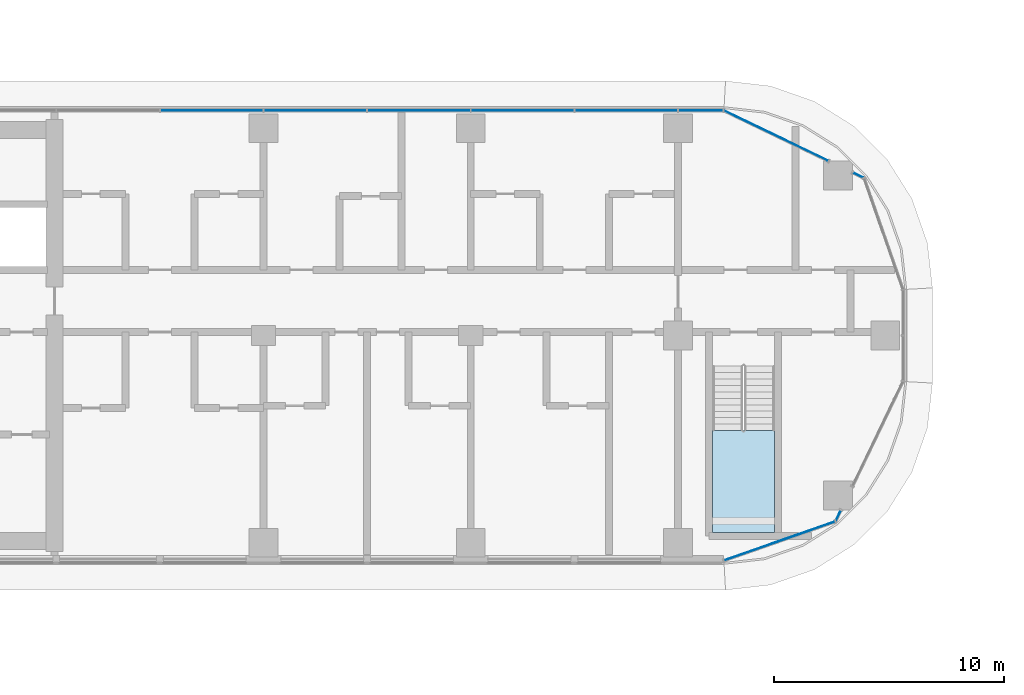
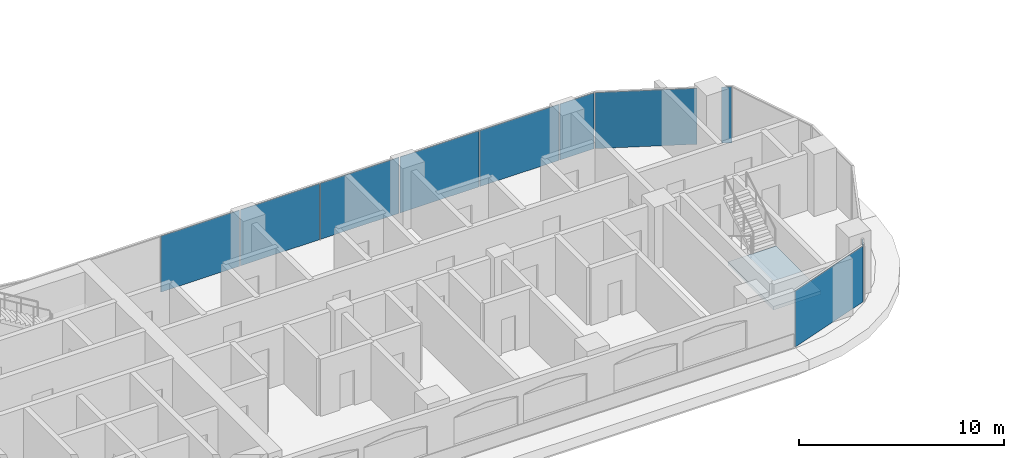
# One storey, part 16 of 40: 10 plates, 1 slab, 5 elements without a shape of their own.
"""IFC4 building model written with IfcOpenShell, lengths in metres."""

import ifcopenshell
import ifcopenshell.guid

model = None  # the IFC model being written
_history = None  # IfcOwnerHistory: only IFC2X3 demands one
_inside = {}  # id of a spatial element -> (the spatial element, [elements in it])
_under = {}  # id of a project, library or spatial element -> (it, [spatial elements below it])
_declared = {}  # id of a project -> (the project, [libraries it declares])
_typed = {}  # id of a type object -> (the type object, [elements of that type])
_made_of = {}  # id of a material, layer set ... -> (it, [elements and type objects made of it])


def new_model(schema):
    """Start an empty IFC model of exactly this schema.

    Asked for "IFC4X3", IfcOpenShell would pick the latest addendum, in which some entities
    have other attributes; the version numbers below select the first issue.
    IFC2X3 requires an IfcOwnerHistory on every rooted entity: one is made here for all.
    """
    global model, _history
    if schema == "IFC4X3":
        model = ifcopenshell.file(schema_version=(4, 3, 0, 0))
    else:
        model = ifcopenshell.file(schema=schema)
    _inside.clear()
    _under.clear()
    _declared.clear()
    _typed.clear()
    _made_of.clear()
    _history = None
    if model.schema == "IFC2X3":
        org = make("IfcOrganization", Name="unknown")
        user = make(
            "IfcPersonAndOrganization",
            ThePerson=make("IfcPerson", FamilyName="unknown"),
            TheOrganization=org,
        )
        app = make(
            "IfcApplication",
            ApplicationDeveloper=org,
            Version="unknown",
            ApplicationFullName="unknown",
            ApplicationIdentifier="unknown",
        )
        _history = make(
            "IfcOwnerHistory",
            OwningUser=user,
            OwningApplication=app,
            ChangeAction="ADDED",
            CreationDate=0,
        )
    return model


def make(cls, **values):
    """One entity of the class cls with the attributes given. An attribute that is None is left unset."""
    return model.create_entity(
        cls, **{name: value for name, value in values.items() if value is not None}
    )


def rooted(cls, **values):
    """An entity with a GlobalId (a new one), such as an element, a storey or a relation."""
    return make(cls, GlobalId=ifcopenshell.guid.new(), OwnerHistory=_history, **values)


def si_unit(unit_type, name, prefix=None):
    """IfcSIUnit, for example si_unit("LENGTHUNIT", "METRE", prefix="MILLI")."""
    return make("IfcSIUnit", UnitType=unit_type, Prefix=prefix, Name=name)


def assignment(units):
    """IfcUnitAssignment: the units of a project."""
    return None if units is None else make("IfcUnitAssignment", Units=units)


def point(xyz):
    """IfcCartesianPoint."""
    return None if xyz is None else make("IfcCartesianPoint", Coordinates=xyz)


def direction(xyz):
    """IfcDirection."""
    return None if xyz is None else make("IfcDirection", DirectionRatios=xyz)


def frame(location, z_axis=None, x_axis=None):
    """IfcAxis2Placement3D, a coordinate frame: its origin and axes. An axis left out is left unset."""
    return make(
        "IfcAxis2Placement3D",
        Location=point(location),
        Axis=direction(z_axis),
        RefDirection=direction(x_axis),
    )


def frame_2d(location, x_axis=None):
    """IfcAxis2Placement2D, a coordinate frame in the plane: its origin and x axis."""
    return make(
        "IfcAxis2Placement2D", Location=point(location), RefDirection=direction(x_axis)
    )


def origin():
    """The frame at (0, 0, 0) with its axes left unset."""
    return frame((0.0, 0.0, 0.0))


def origin_2d():
    """The frame at (0, 0) in the plane with its x axis left unset."""
    return frame_2d((0.0, 0.0))


def place(relative_to, where):
    """IfcLocalPlacement: puts the frame where relative to a parent placement (None: the world)."""
    return make(
        "IfcLocalPlacement", PlacementRelTo=relative_to, RelativePlacement=where
    )


def context(
    kind, dimensions, precision=None, world=None, true_north=None, identifier=None
):
    """IfcGeometricRepresentationContext, for example the 3D "Model" context."""
    return make(
        "IfcGeometricRepresentationContext",
        ContextIdentifier=identifier,
        ContextType=kind,
        CoordinateSpaceDimension=dimensions,
        Precision=precision,
        WorldCoordinateSystem=world,
        TrueNorth=true_north,
    )


def subcontext(parent, identifier, kind, view, scale=None):
    """IfcGeometricRepresentationSubContext, for example "Body" below "Model"."""
    return make(
        "IfcGeometricRepresentationSubContext",
        ContextIdentifier=identifier,
        ContextType=kind,
        ParentContext=parent,
        TargetScale=scale,
        TargetView=view,
    )


def project(units=None, contexts=None):
    """IfcProject with its units and contexts."""
    return rooted(
        "IfcProject",
        Name="project",
        RepresentationContexts=contexts,
        UnitsInContext=assignment(units),
    )


def spatial(cls, under=None, at=None, **own):
    """A site, building, storey or space (cls), placed at a placement, below another one or the project."""
    s = rooted(cls, ObjectPlacement=at, **own)
    if under is not None:
        _under.setdefault(under.id(), (under, []))[1].append(s)
    return s


def polyline(points):
    """IfcPolyline through the points."""
    return make("IfcPolyline", Points=[point(p) for p in points])


def profile(cls, at=None, kind="AREA", **sizes):
    """A parametric profile (cls). Its sizes go by their IFC names, for example OverallWidth=200.0."""
    return make(cls, ProfileType=kind, Position=at, **sizes)


def rectangle(**sizes):
    """IfcRectangleProfileDef."""
    return profile("IfcRectangleProfileDef", **sizes)


def outline(outer, holes=None, kind="AREA"):
    """IfcArbitraryClosedProfileDef: a profile drawn as a closed curve; with holes, ...WithVoids."""
    if holes is None:
        return make("IfcArbitraryClosedProfileDef", ProfileType=kind, OuterCurve=outer)
    return make(
        "IfcArbitraryProfileDefWithVoids",
        ProfileType=kind,
        OuterCurve=outer,
        InnerCurves=holes,
    )


def extrude(swept, where, along, depth):
    """IfcExtrudedAreaSolid: the profile swept, set in the frame where, extruded along a direction by depth."""
    return make(
        "IfcExtrudedAreaSolid",
        SweptArea=swept,
        Position=where,
        ExtrudedDirection=direction(along),
        Depth=depth,
    )


def shape(context_of_items, identifier, shape_type, items):
    """IfcShapeRepresentation: the items that make up one representation, for example the "Body"."""
    return make(
        "IfcShapeRepresentation",
        ContextOfItems=context_of_items,
        RepresentationIdentifier=identifier,
        RepresentationType=shape_type,
        Items=items,
    )


def material(Name=None, Category=None):
    """IfcMaterial."""
    return make("IfcMaterial", Name=Name, Category=Category)


def layer(
    of_material, thickness, ventilated=None, Name=None, Category=None, Priority=None
):
    """IfcMaterialLayer: one layer of a wall or slab, of a material (None: an air gap)."""
    return make(
        "IfcMaterialLayer",
        Material=of_material,
        LayerThickness=thickness,
        IsVentilated=ventilated,
        Name=Name,
        Category=Category,
        Priority=Priority,
    )


def layer_set(layers, Name=None):
    """IfcMaterialLayerSet."""
    return make("IfcMaterialLayerSet", MaterialLayers=layers, LayerSetName=Name)


def made_of(thing, what):
    """Note that an element or type object is made of a material, layer set ...; save() writes the relation."""
    if what is not None:
        _made_of.setdefault(what.id(), (what, []))[1].append(thing)
    return thing


def type_object(cls, material=None, **own):
    """A type object (cls), such as IfcWallType, which elements share."""
    return made_of(rooted(cls, **own), material)


def element(
    cls,
    number,
    at=None,
    inside=None,
    cuts=None,
    type_object=None,
    material=None,
    context=None,
    identifier="Body",
    shape_type=None,
    held_by="IfcProductDefinitionShape",
    body=None,
    shapes=None,
    **own,
):
    """One element of the class cls, such as IfcWall. Its Tag is "e" and its number.

    at: its placement. inside: the storey or other place that contains it. cuts: it is an
    opening in that element (IfcRelVoidsElement). A single representation is given by context,
    identifier, shape_type and body (its items); several are given by shapes. held_by: the class
    of the entity that holds the representations. save() writes the other relations.
    """
    e = rooted(cls, Tag="e%d" % number, ObjectPlacement=at, **own)
    if body is not None:
        shapes = [shape(context, identifier, shape_type, body)]
    if shapes is not None:
        e.Representation = make(held_by, Representations=shapes)
    if inside is not None:
        _inside.setdefault(inside.id(), (inside, []))[1].append(e)
    if cuts is not None:
        rooted(
            "IfcRelVoidsElement", RelatingBuildingElement=cuts, RelatedOpeningElement=e
        )
    if type_object is not None:
        _typed.setdefault(type_object.id(), (type_object, []))[1].append(e)
    return made_of(e, material)


def aggregate(whole, parts):
    """IfcRelAggregates: a whole, such as a stair, and the parts it consists of."""
    return rooted("IfcRelAggregates", RelatingObject=whole, RelatedObjects=parts)


def save(model, path):
    """Write the relations noted so far, then the file.

    IfcRelAggregates (storeys below a building ...), IfcRelContainedInSpatialStructure (elements
    in a storey), IfcRelDefinesByType, IfcRelAssociatesMaterial and IfcRelDeclares: one each for
    every whole, place, type object, material and project.
    """
    for whole, parts in _under.values():
        aggregate(whole, parts)
    for where, things in _inside.values():
        rooted(
            "IfcRelContainedInSpatialStructure",
            RelatedElements=things,
            RelatingStructure=where,
        )
    for kind, things in _typed.values():
        rooted("IfcRelDefinesByType", RelatedObjects=things, RelatingType=kind)
    for what, things in _made_of.values():
        rooted("IfcRelAssociatesMaterial", RelatedObjects=things, RelatingMaterial=what)
    for by, libraries in _declared.values():
        rooted("IfcRelDeclares", RelatingContext=by, RelatedDefinitions=libraries)
    model.write(path)


model = new_model("IFC4")

# Units and contexts
model_context = context("Model", 3, precision=1e-05, world=origin(), true_north=direction((0.0, 1.0)))
body_context = subcontext(model_context, "Body", "Model", "MODEL_VIEW")
ifc_project = project(units=[si_unit("LENGTHUNIT", "METRE"), si_unit("AREAUNIT", "SQUARE_METRE"), si_unit("VOLUMEUNIT", "CUBIC_METRE"), si_unit("PLANEANGLEUNIT", "RADIAN"), si_unit("MASSUNIT", "GRAM", prefix="KILO")], contexts=[model_context])

# Site, building, storey
site_placement = place(None, origin())
site = spatial("IfcSite", under=ifc_project, at=site_placement, CompositionType="ELEMENT")
building_placement = place(site_placement, origin())
building = spatial("IfcBuilding", under=site, at=building_placement, Name="Ogive Portal Towers", CompositionType="ELEMENT")
storey_placement = place(building_placement, frame((0.0, 0.0, 87.10009765625)))
storey = spatial("IfcBuildingStorey", under=building, at=storey_placement, Name="L20", CompositionType="ELEMENT", Elevation=87.10009765625)

# Curtain wall, plates
ifc_material_1 = material(Name="Glass, clear low-iron insulated glazing", Category="glass")
curtain_wall_type = type_object("IfcCurtainWallType", Name="CW FRONT RIBBON 4500", PredefinedType="NOTDEFINED", material=ifc_material_1)
curtain_wall_1_placement = place(storey_placement, origin())
curtain_wall_1 = element("IfcCurtainWall", 1, at=curtain_wall_1_placement, inside=storey, type_object=curtain_wall_type, Name="A:L20:f11:cw0", PredefinedType="NOTDEFINED")
ifc_layer_1 = layer(ifc_material_1, 0.028076171875)
ifc_layer_set_1 = layer_set([ifc_layer_1], Name="CW PANEL IGU 28")
plate_type = type_object("IfcPlateType", Name="CW PANEL IGU 28", PredefinedType="CURTAIN_PANEL", material=ifc_layer_set_1)
plate_1_placement = place(storey_placement, frame((86.490966796875, 40.27490234375, 0.0), z_axis=(0.0, 0.0, 1.0), x_axis=(-1.0, 0.0, 0.0)))
plate_1 = element("IfcPlate", 2, at=plate_1_placement, type_object=plate_type, Name="panel", PredefinedType="CURTAIN_PANEL", context=body_context, shape_type="SweptSolid", body=[
    extrude(rectangle(XDim=1.921630859375, YDim=0.028076171875, at=origin_2d()), origin(), (0.0, 0.0, 1.0), 3.340087890625),
])
plate_2_placement = place(storey_placement, frame((83.25, 40.27490234375, 0.0), z_axis=(0.0, 0.0, 1.0), x_axis=(-1.0, 0.0, 0.0)))
plate_2 = element("IfcPlate", 3, at=plate_2_placement, type_object=plate_type, Name="panel", PredefinedType="CURTAIN_PANEL", context=body_context, shape_type="SweptSolid", body=[
    extrude(rectangle(XDim=4.43994140625, YDim=0.028076171875, at=origin_2d()), origin(), (0.0, 0.0, 1.0), 3.340087890625),
])
plate_3_placement = place(storey_placement, frame((78.75, 40.27490234375, 0.0), z_axis=(0.0, 0.0, 1.0), x_axis=(-1.0, 0.0, 0.0)))
plate_3 = element("IfcPlate", 4, at=plate_3_placement, type_object=plate_type, Name="panel", PredefinedType="CURTAIN_PANEL", context=body_context, shape_type="SweptSolid", body=[
    extrude(rectangle(XDim=4.43994140625, YDim=0.028076171875, at=origin_2d()), origin(), (0.0, 0.0, 1.0), 3.340087890625),
])
plate_4_placement = place(storey_placement, frame((74.25, 40.27490234375, 0.0), z_axis=(0.0, 0.0, 1.0), x_axis=(-1.0, 0.0, 0.0)))
plate_4 = element("IfcPlate", 5, at=plate_4_placement, type_object=plate_type, Name="panel", PredefinedType="CURTAIN_PANEL", context=body_context, shape_type="SweptSolid", body=[
    extrude(rectangle(XDim=4.43994140625, YDim=0.028076171875, at=origin_2d()), origin(), (0.0, 0.0, 1.0), 3.340087890625),
])
plate_5_placement = place(storey_placement, frame((69.75, 40.27490234375, 0.0), z_axis=(0.0, 0.0, 1.0), x_axis=(-1.0, 0.0, 0.0)))
plate_5 = element("IfcPlate", 6, at=plate_5_placement, type_object=plate_type, Name="panel", PredefinedType="CURTAIN_PANEL", context=body_context, shape_type="SweptSolid", body=[
    extrude(rectangle(XDim=4.43994140625, YDim=0.028076171875, at=origin_2d()), origin(), (0.0, 0.0, 1.0), 3.340087890625),
])
plate_6_placement = place(storey_placement, frame((65.25, 40.27490234375, 0.0), z_axis=(0.0, 0.0, 1.0), x_axis=(-1.0, 0.0, 0.0)))
plate_6 = element("IfcPlate", 7, at=plate_6_placement, type_object=plate_type, Name="panel", PredefinedType="CURTAIN_PANEL", context=body_context, shape_type="SweptSolid", body=[
    extrude(rectangle(XDim=4.43994140625, YDim=0.028076171875, at=origin_2d()), origin(), (0.0, 0.0, 1.0), 3.340087890625),
])
aggregate(curtain_wall_1, [plate_1, plate_2, plate_3, plate_4, plate_5, plate_6])

curtain_wall_2_placement = place(storey_placement, origin())
curtain_wall_2 = element("IfcCurtainWall", 8, at=curtain_wall_2_placement, inside=storey, type_object=curtain_wall_type, Name="A:L20:f06:cwa~0", PredefinedType="NOTDEFINED")
plate_7_placement = place(storey_placement, frame((89.9130859375, 21.57421875, 0.0), z_axis=(0.0, 0.0, 1.0), x_axis=(0.943883330307, 0.33027906196, 0.0)))
plate_7 = element("IfcPlate", 9, at=plate_7_placement, type_object=plate_type, Name="panel", PredefinedType="CURTAIN_PANEL", context=body_context, shape_type="SweptSolid", body=[
    extrude(rectangle(XDim=5.08203125, YDim=0.028076171875, at=origin_2d()), origin(), (0.0, 0.0, 1.0), 3.340087890625),
])
plate_8_placement = place(storey_placement, frame((92.460693359375, 22.674072265625, 0.0), z_axis=(0.0, 0.0, 1.0), x_axis=(0.433883739113, 0.900968867905, 0.0)))
plate_8 = element("IfcPlate", 10, at=plate_8_placement, type_object=plate_type, Name="panel", PredefinedType="CURTAIN_PANEL", context=body_context, shape_type="SweptSolid", body=[
    extrude(rectangle(XDim=0.496826171875, YDim=0.028076171875, at=origin_2d()), origin(), (0.0, 0.0, 1.0), 3.340087890625),
])
aggregate(curtain_wall_2, [plate_7, plate_8])

# Curtain wall, plate
curtain_wall_3_placement = place(storey_placement, origin())
curtain_wall_3 = element("IfcCurtainWall", 11, at=curtain_wall_3_placement, inside=storey, type_object=curtain_wall_type, Name="A:L20:f09:cwa~0", PredefinedType="NOTDEFINED")
plate_9_placement = place(storey_placement, frame((93.325927734375, 37.460693359375, 0.0), z_axis=(0.0, 0.0, 1.0), x_axis=(-0.900968867905, 0.433883739113, 0.0)))
plate_9 = element("IfcPlate", 12, at=plate_9_placement, type_object=plate_type, Name="panel", PredefinedType="CURTAIN_PANEL", context=body_context, shape_type="SweptSolid", body=[
    extrude(rectangle(XDim=0.496826171875, YDim=0.028076171875, at=origin_2d()), origin(), (0.0, 0.0, 1.0), 3.340087890625),
])
aggregate(curtain_wall_3, [plate_9])

curtain_wall_4_placement = place(storey_placement, origin())
curtain_wall_4 = element("IfcCurtainWall", 13, at=curtain_wall_4_placement, inside=storey, type_object=curtain_wall_type, Name="A:L20:f09:cwa~1", PredefinedType="NOTDEFINED")
plate_10_placement = place(storey_placement, frame((89.765869140625, 39.175048828125, 0.0), z_axis=(0.0, 0.0, 1.0), x_axis=(-0.900968867905, 0.433883739113, 0.0)))
plate_10 = element("IfcPlate", 14, at=plate_10_placement, type_object=plate_type, Name="panel", PredefinedType="CURTAIN_PANEL", context=body_context, shape_type="SweptSolid", body=[
    extrude(rectangle(XDim=5.010498046875, YDim=0.028076171875, at=origin_2d()), origin(), (0.0, 0.0, 1.0), 3.340087890625),
])
aggregate(curtain_wall_4, [plate_10])

# Stair, slab
ifc_material_2 = material(Name="Concrete C40/50", Category="concrete")
stair_type = type_object("IfcStairType", Name="INT-STAIR", PredefinedType="HALF_TURN_STAIR", material=ifc_material_2)
stair_placement = place(storey_placement, origin())
stair = element("IfcStair", 15, at=stair_placement, inside=storey, type_object=stair_type, Name="L20 Exit Stair ST-A4", PredefinedType="HALF_TURN_STAIR")
ifc_layer_2 = layer(ifc_material_2, 0.199951171875)
ifc_layer_set_2 = layer_set([ifc_layer_2], Name="INT-LANDING")
slab_type = type_object("IfcSlabType", Name="INT-LANDING", PredefinedType="LANDING", material=ifc_layer_set_2)
slab_placement = place(storey_placement, frame((0.0, 0.0, 1.64990234375)))
slab = element("IfcSlab", 16, at=slab_placement, type_object=slab_type, Name="ST-A4 landing 1", PredefinedType="LANDING", context=body_context, shape_type="SweptSolid", body=[
    extrude(outline(polyline([(87.0, 26.3701171875), (87.0, 21.949951171875), (89.699951171875, 21.949951171875), (89.699951171875, 26.3701171875), (87.0, 26.3701171875)])), origin(), (0.0, 0.0, 1.0), 0.199951171875),
])
aggregate(stair, [slab])

save(model, "model.ifc")
